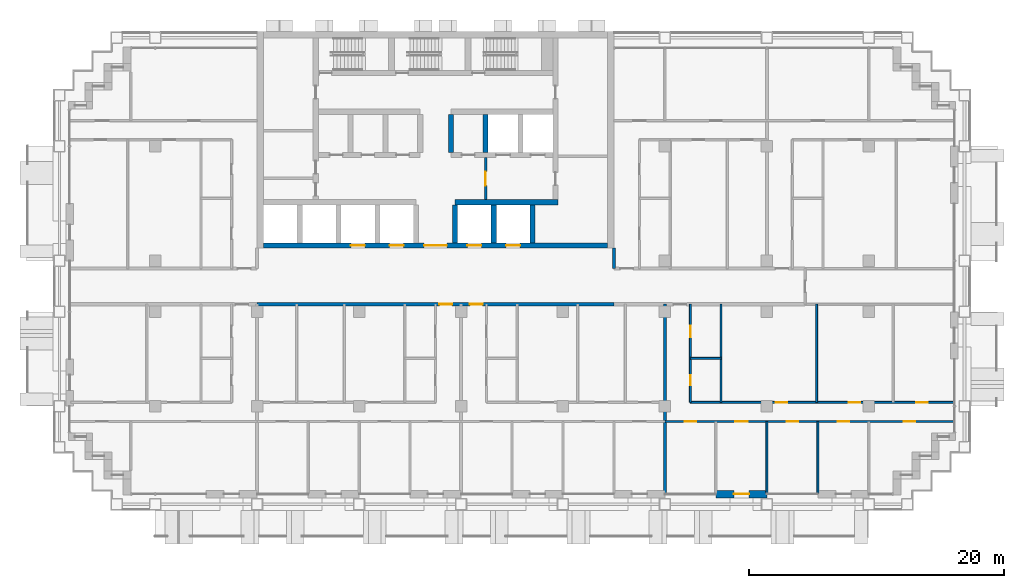
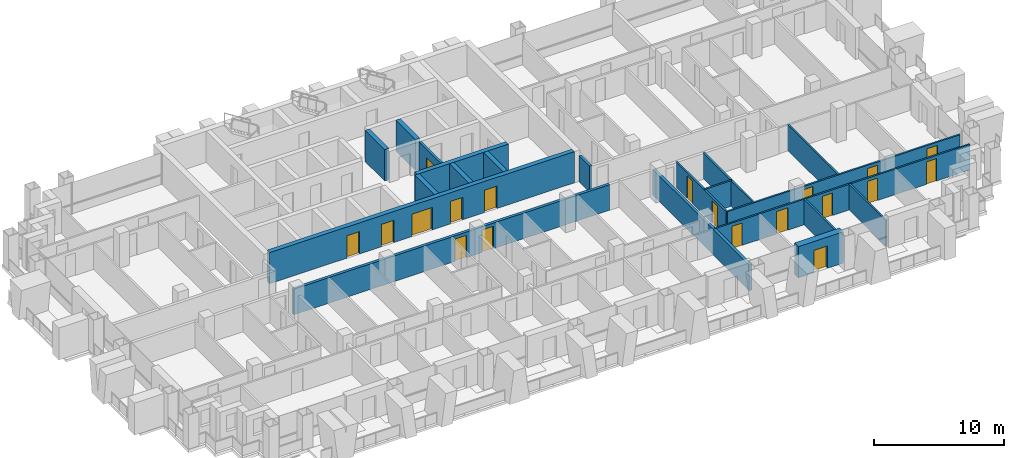
# One storey, part 11 of 18: 20 walls, 19 doors, 19 openings.
"""IFC4 building model written with IfcOpenShell, lengths in metres."""

from ifc_helpers import new_model, si_unit, direction, frame, frame_2d, origin, place, context, subcontext, project, spatial, rectangle, extrude, material, layer, layer_set, type_object, element, fill, save


model = new_model("IFC4")

# Units and contexts
model_context = context("Model", 3, precision=1e-05, world=origin(), true_north=direction((0.0, 1.0)))
body_context = subcontext(model_context, "Body", "Model", "MODEL_VIEW")
ifc_project = project(units=[si_unit("LENGTHUNIT", "METRE"), si_unit("AREAUNIT", "SQUARE_METRE"), si_unit("VOLUMEUNIT", "CUBIC_METRE"), si_unit("PLANEANGLEUNIT", "RADIAN"), si_unit("MASSUNIT", "GRAM", prefix="KILO")], contexts=[model_context])

# Site, building, storey
site_placement = place(None, origin())
site = spatial("IfcSite", under=ifc_project, at=site_placement, CompositionType="ELEMENT")
building_placement = place(site_placement, origin())
building = spatial("IfcBuilding", under=site, at=building_placement, Name="Vidyagriha Tower", CompositionType="ELEMENT")
storey_placement = place(building_placement, frame((0.0, 0.0, 90.300048828125)))
storey = spatial("IfcBuildingStorey", under=building, at=storey_placement, Name="L23", CompositionType="ELEMENT", Elevation=90.300048828125)

# Wall, opening, door
ifc_material_1 = material(Name="Precast concrete C40/50 with brick facing", Category="concrete")
ifc_layer_1 = layer(ifc_material_1, 0.60009765625)
ifc_layer_set_1 = layer_set([ifc_layer_1], Name="Precast concrete C40/50 with brick facing")
wall_type_1 = type_object("IfcWallType", Name="Brick-faced precast wall 600", PredefinedType="STANDARD", material=ifc_layer_set_1)
wall_1_placement = place(storey_placement, frame((22.0, -16.300048828125, 0.0)))
wall_1 = element("IfcWall", 1, at=wall_1_placement, inside=storey, type_object=wall_type_1, Name="Brick door bay wall L23 R23.13", PredefinedType="STANDARD", context=body_context, shape_type="SweptSolid", body=[
    extrude(rectangle(XDim=4.0, YDim=0.60009765625, at=frame_2d((2.0, 0.0))), origin(), (0.0, 0.0, 1.0), 2.919921875),
])
opening_1_placement = place(wall_1_placement, frame((1.39990234375, 0.0, 0.0)))
opening_1 = element("IfcOpeningElement", 2, at=opening_1_placement, cuts=wall_1, Name="Opening D23-82", PredefinedType="OPENING", context=body_context, shape_type="SweptSolid", body=[
    extrude(rectangle(XDim=1.199951171875, YDim=2.10009765625, at=frame_2d((0.60009765625, 1.050048828125))), frame((0.0, 0.31005859375, 0.0), z_axis=(0.0, -1.0, 0.0), x_axis=(1.0, 0.0, 0.0)), (0.0, 0.0, 1.0), 0.6201171875),
])
ifc_material_2 = material(Name="Aluminium framed glazed sliding door", Category="aluminium")
door_type_1 = type_object("IfcDoorType", Name="Balcony sliding door 1200x2100", OperationType="NOTDEFINED", PredefinedType="DOOR", material=ifc_material_2)
door_1_placement = place(opening_1_placement, origin())
door_1 = element("IfcDoor", 3, at=door_1_placement, inside=storey, type_object=door_type_1, Name="Door D23-82", OperationType="SLIDING_TO_LEFT", OverallHeight=2.10009765625, OverallWidth=1.199951171875, PredefinedType="DOOR", context=body_context, shape_type="SweptSolid", body=[
    extrude(rectangle(XDim=1.199951171875, YDim=2.10009765625, at=frame_2d((0.60009765625, 1.050048828125))), frame((0.0, 0.02490234375, 0.0), z_axis=(0.0, -1.0, 0.0), x_axis=(1.0, 0.0, 0.0)), (0.0, 0.0, 1.0), 0.050048828125),
])
fill(opening_1, door_1)

# Wall, openings, doors
ifc_material_3 = material(Name="Concrete C60/75", Category="concrete")
ifc_layer_2 = layer(ifc_material_3, 0.39990234375)
ifc_layer_set_2 = layer_set([ifc_layer_2], Name="Concrete C60/75")
wall_type_2 = type_object("IfcWallType", Name="Core shear wall 400 mm", PredefinedType="SHEAR", material=ifc_layer_set_2)
wall_2_placement = place(storey_placement, frame((-13.5, 3.199951171875, 0.0)))
wall_2 = element("IfcWall", 4, at=wall_2_placement, inside=storey, type_object=wall_type_2, Name="Core front wall", PredefinedType="SHEAR", context=body_context, shape_type="SweptSolid", body=[
    extrude(rectangle(XDim=27.0, YDim=0.39990234375, at=frame_2d((13.5, 0.0))), origin(), (0.0, 0.0, 1.0), 2.919921875),
])
opening_2_placement = place(wall_2_placement, frame((6.861083984375, 0.0, 0.0)))
opening_2 = element("IfcOpeningElement", 5, at=opening_2_placement, cuts=wall_2, Name="Opening LD23-01", PredefinedType="OPENING", context=body_context, shape_type="SweptSolid", body=[
    extrude(rectangle(XDim=1.10009765625, YDim=2.10009765625, at=frame_2d((0.550048828125, 1.050048828125))), frame((0.0, 0.2099609375, 0.0), z_axis=(0.0, -1.0, 0.0), x_axis=(1.0, 0.0, 0.0)), (0.0, 0.0, 1.0), 0.419921875),
])
opening_3_placement = place(wall_2_placement, frame((9.905517578125, 0.0, 0.0)))
opening_3 = element("IfcOpeningElement", 6, at=opening_3_placement, cuts=wall_2, Name="Opening LD23-02", PredefinedType="OPENING", context=body_context, shape_type="SweptSolid", body=[
    extrude(rectangle(XDim=1.10009765625, YDim=2.10009765625, at=frame_2d((0.550048828125, 1.050048828125))), frame((0.0, 0.2099609375, 0.0), z_axis=(0.0, -1.0, 0.0), x_axis=(1.0, 0.0, 0.0)), (0.0, 0.0, 1.0), 0.419921875),
])
opening_4_placement = place(wall_2_placement, frame((15.994384765625, 0.0, 0.0)))
opening_4 = element("IfcOpeningElement", 7, at=opening_4_placement, cuts=wall_2, Name="Opening LD23-03", PredefinedType="OPENING", context=body_context, shape_type="SweptSolid", body=[
    extrude(rectangle(XDim=1.10009765625, YDim=2.10009765625, at=frame_2d((0.550048828125, 1.050048828125))), frame((0.0, 0.2099609375, 0.0), z_axis=(0.0, -1.0, 0.0), x_axis=(1.0, 0.0, 0.0)), (0.0, 0.0, 1.0), 0.419921875),
])
opening_5_placement = place(wall_2_placement, frame((19.038818359375, 0.0, 0.0)))
opening_5 = element("IfcOpeningElement", 8, at=opening_5_placement, cuts=wall_2, Name="Opening LD23-04", PredefinedType="OPENING", context=body_context, shape_type="SweptSolid", body=[
    extrude(rectangle(XDim=1.10009765625, YDim=2.10009765625, at=frame_2d((0.550048828125, 1.050048828125))), frame((0.0, 0.2099609375, 0.0), z_axis=(0.0, -1.0, 0.0), x_axis=(1.0, 0.0, 0.0)), (0.0, 0.0, 1.0), 0.419921875),
])
opening_6_placement = place(wall_2_placement, frame((12.60009765625, 0.0, 0.0)))
opening_6 = element("IfcOpeningElement", 9, at=opening_6_placement, cuts=wall_2, Name="Opening D23-01", PredefinedType="OPENING", context=body_context, shape_type="SweptSolid", body=[
    extrude(rectangle(XDim=1.800048828125, YDim=2.10009765625, at=frame_2d((0.89990234375, 1.050048828125))), frame((0.0, 0.2099609375, 0.0), z_axis=(0.0, -1.0, 0.0), x_axis=(1.0, 0.0, 0.0)), (0.0, 0.0, 1.0), 0.419921875),
])
ifc_material_4 = material(Name="Hollow metal door leaf")
door_type_2 = type_object("IfcDoorType", Name="Core lobby double door 1800 x 2100 mm EI 60", OperationType="NOTDEFINED", PredefinedType="DOOR", material=ifc_material_4)
door_2_placement = place(opening_6_placement, frame((1.800048828125, 0.0, 0.0), z_axis=(0.0, 0.0, 1.0), x_axis=(-1.0, 0.0, 0.0)))
door_2 = element("IfcDoor", 10, at=door_2_placement, inside=storey, type_object=door_type_2, Name="Core entrance door L23", OperationType="DOUBLE_DOOR_SINGLE_SWING", OverallHeight=2.10009765625, OverallWidth=1.800048828125, PredefinedType="DOOR", context=body_context, shape_type="SweptSolid", body=[
    extrude(rectangle(XDim=1.800048828125, YDim=2.10009765625, at=frame_2d((0.89990234375, 1.050048828125))), frame((0.0, 0.02490234375, 0.0), z_axis=(0.0, -1.0, 0.0), x_axis=(1.0, 0.0, 0.0)), (0.0, 0.0, 1.0), 0.050048828125),
])
fill(opening_6, door_2)
ifc_material_5 = material(Name="Stainless steel sliding door panel", Category="steel")
door_type_3 = type_object("IfcDoorType", Name="Lift landing door 1100 x 2100 mm EI 90", OperationType="NOTDEFINED", PredefinedType="DOOR", material=ifc_material_5)
door_3_placement = place(opening_2_placement, origin())
door_3 = element("IfcDoor", 11, at=door_3_placement, inside=storey, type_object=door_type_3, Name="Landing door LR1 L23", OperationType="SLIDING_TO_LEFT", OverallHeight=2.10009765625, OverallWidth=1.10009765625, PredefinedType="DOOR", context=body_context, shape_type="SweptSolid", body=[
    extrude(rectangle(XDim=1.10009765625, YDim=2.10009765625, at=frame_2d((0.550048828125, 1.050048828125))), frame((0.0, 0.02490234375, 0.0), z_axis=(0.0, -1.0, 0.0), x_axis=(1.0, 0.0, 0.0)), (0.0, 0.0, 1.0), 0.050048828125),
])
fill(opening_2, door_3)
door_4_placement = place(opening_3_placement, origin())
door_4 = element("IfcDoor", 12, at=door_4_placement, inside=storey, type_object=door_type_3, Name="Landing door LR2 L23", OperationType="SLIDING_TO_LEFT", OverallHeight=2.10009765625, OverallWidth=1.10009765625, PredefinedType="DOOR", context=body_context, shape_type="SweptSolid", body=[
    extrude(rectangle(XDim=1.10009765625, YDim=2.10009765625, at=frame_2d((0.550048828125, 1.050048828125))), frame((0.0, 0.02490234375, 0.0), z_axis=(0.0, -1.0, 0.0), x_axis=(1.0, 0.0, 0.0)), (0.0, 0.0, 1.0), 0.050048828125),
])
fill(opening_3, door_4)
door_5_placement = place(opening_4_placement, origin())
door_5 = element("IfcDoor", 13, at=door_5_placement, inside=storey, type_object=door_type_3, Name="Landing door LR3 L23", OperationType="SLIDING_TO_LEFT", OverallHeight=2.10009765625, OverallWidth=1.10009765625, PredefinedType="DOOR", context=body_context, shape_type="SweptSolid", body=[
    extrude(rectangle(XDim=1.10009765625, YDim=2.10009765625, at=frame_2d((0.550048828125, 1.050048828125))), frame((0.0, 0.02490234375, 0.0), z_axis=(0.0, -1.0, 0.0), x_axis=(1.0, 0.0, 0.0)), (0.0, 0.0, 1.0), 0.050048828125),
])
fill(opening_4, door_5)
door_6_placement = place(opening_5_placement, origin())
door_6 = element("IfcDoor", 14, at=door_6_placement, inside=storey, type_object=door_type_3, Name="Landing door LR4 L23", OperationType="SLIDING_TO_LEFT", OverallHeight=2.10009765625, OverallWidth=1.10009765625, PredefinedType="DOOR", context=body_context, shape_type="SweptSolid", body=[
    extrude(rectangle(XDim=1.10009765625, YDim=2.10009765625, at=frame_2d((0.550048828125, 1.050048828125))), frame((0.0, 0.02490234375, 0.0), z_axis=(0.0, -1.0, 0.0), x_axis=(1.0, 0.0, 0.0)), (0.0, 0.0, 1.0), 0.050048828125),
])
fill(opening_5, door_6)

# Walls
wall_3_placement = place(storey_placement, frame((1.522216796875, 6.60009765625, 0.0)))
element("IfcWall", 15, at=wall_3_placement, inside=storey, type_object=wall_type_2, Name="Core lobby south wall east", PredefinedType="SHEAR", context=body_context, shape_type="SweptSolid", body=[
    extrude(rectangle(XDim=8.077880859375, YDim=0.39990234375, at=frame_2d((4.0390625, 0.0))), origin(), (0.0, 0.0, 1.0), 2.919921875),
])
for number, where, z_axis, x_axis, name in (
    (16, (1.522216796875, 3.39990234375, 0.0), (0.0, 0.0, 1.0), (0.0, 1.0, 0.0), "Core bay wall S5"),
    (17, (4.566650390625, 3.39990234375, 0.0), (0.0, 0.0, 1.0), (0.0, 1.0, 0.0), "Core bay wall S6"),
    (18, (7.611083984375, 3.39990234375, 0.0), (0.0, 0.0, 1.0), (0.0, 1.0, 0.0), "Core bay wall S7"),
    (19, (1.199951171875, 10.5, 0.0), (0.0, 0.0, 1.0), (0.0, 1.0, 0.0), "Core bay wall N4"),
    (20, (3.933349609375, 10.5, 0.0), (0.0, 0.0, 1.0), (0.0, 1.0, 0.0), "Core bay wall N5"),
):
    element("IfcWall", number, at=place(storey_placement, frame(where, z_axis=z_axis, x_axis=x_axis)), inside=storey, type_object=wall_type_2, Name=name, PredefinedType="SHEAR", context=body_context, shape_type="SweptSolid", body=[
        extrude(rectangle(XDim=3.0, YDim=0.39990234375, at=frame_2d((1.5, 0.0))), origin(), (0.0, 0.0, 1.0), 2.919921875),
    ])

# Wall, openings, doors
ifc_material_6 = material(Name="Fired clay brick masonry", Category="masonry")
ifc_layer_3 = layer(ifc_material_6, 0.25)
ifc_layer_set_3 = layer_set([ifc_layer_3], Name="Fired clay brick masonry")
wall_type_3 = type_object("IfcWallType", Name="Fired clay brick corridor wall 250", PredefinedType="PARTITIONING", material=ifc_layer_set_3)
wall_4_placement = place(storey_placement, frame((14.0, -1.39990234375, 0.0), z_axis=(0.0, 0.0, 1.0), x_axis=(-1.0, 0.0, 0.0)))
wall_4 = element("IfcWall", 21, at=wall_4_placement, inside=storey, type_object=wall_type_3, Name="Wall all-L23-w131", PredefinedType="PARTITIONING", context=body_context, shape_type="SweptSolid", body=[
    extrude(rectangle(XDim=28.0, YDim=0.25, at=frame_2d((14.0, 0.0))), origin(), (0.0, 0.0, 1.0), 2.39990234375),
])
opening_7_placement = place(wall_4_placement, frame((12.68896484375, 0.0, 0.0)))
opening_7 = element("IfcOpeningElement", 22, at=opening_7_placement, cuts=wall_4, Name="Opening D23-31", PredefinedType="OPENING", context=body_context, shape_type="SweptSolid", body=[
    extrude(rectangle(XDim=1.0, YDim=2.10009765625, at=frame_2d((0.5, 1.050048828125))), frame((0.0, 0.135009765625, 0.0), z_axis=(0.0, -1.0, 0.0), x_axis=(1.0, 0.0, 0.0)), (0.0, 0.0, 1.0), 0.27001953125),
])
opening_8_placement = place(wall_4_placement, frame((10.31103515625, 0.0, 0.0)))
opening_8 = element("IfcOpeningElement", 23, at=opening_8_placement, cuts=wall_4, Name="Opening D23-41", PredefinedType="OPENING", context=body_context, shape_type="SweptSolid", body=[
    extrude(rectangle(XDim=1.0, YDim=2.10009765625, at=frame_2d((0.5, 1.050048828125))), frame((0.0, 0.135009765625, 0.0), z_axis=(0.0, -1.0, 0.0), x_axis=(1.0, 0.0, 0.0)), (0.0, 0.0, 1.0), 0.27001953125),
])
ifc_material_7 = material(Name="Fire-rated timber door leaf EI 60", Category="wood")
door_type_4 = type_object("IfcDoorType", Name="Flat entrance fire door 1000x2100", OperationType="NOTDEFINED", PredefinedType="DOOR", material=ifc_material_7)
door_7_placement = place(opening_7_placement, origin())
door_7 = element("IfcDoor", 24, at=door_7_placement, inside=storey, type_object=door_type_4, Name="Door D23-31", OperationType="SINGLE_SWING_LEFT", OverallHeight=2.10009765625, OverallWidth=1.0, PredefinedType="DOOR", context=body_context, shape_type="SweptSolid", body=[
    extrude(rectangle(XDim=1.0, YDim=2.10009765625, at=frame_2d((0.5, 1.050048828125))), frame((0.0, 0.02490234375, 0.0), z_axis=(0.0, -1.0, 0.0), x_axis=(1.0, 0.0, 0.0)), (0.0, 0.0, 1.0), 0.050048828125),
])
fill(opening_7, door_7)
door_8_placement = place(opening_8_placement, origin())
door_8 = element("IfcDoor", 25, at=door_8_placement, inside=storey, type_object=door_type_4, Name="Door D23-41", OperationType="SINGLE_SWING_RIGHT", OverallHeight=2.10009765625, OverallWidth=1.0, PredefinedType="DOOR", context=body_context, shape_type="SweptSolid", body=[
    extrude(rectangle(XDim=1.0, YDim=2.10009765625, at=frame_2d((0.5, 1.050048828125))), frame((0.0, 0.02490234375, 0.0), z_axis=(0.0, -1.0, 0.0), x_axis=(1.0, 0.0, 0.0)), (0.0, 0.0, 1.0), 0.050048828125),
])
fill(opening_8, door_8)

# Walls
wall_5_placement = place(storey_placement, frame((14.0, 1.39990234375, 0.0), z_axis=(0.0, 0.0, 1.0), x_axis=(0.0, 1.0, 0.0)))
element("IfcWall", 26, at=wall_5_placement, inside=storey, type_object=wall_type_3, Name="Wall all-L23-w133", PredefinedType="PARTITIONING", context=body_context, shape_type="SweptSolid", body=[
    extrude(rectangle(XDim=1.60009765625, YDim=0.25, at=frame_2d((0.800048828125, 0.0))), origin(), (0.0, 0.0, 1.0), 2.39990234375),
])
ifc_material_8 = material(Name="Fired clay brick masonry", Category="masonry")
ifc_layer_4 = layer(ifc_material_8, 0.25)
ifc_layer_set_4 = layer_set([ifc_layer_4], Name="Fired clay brick masonry")
wall_type_4 = type_object("IfcWallType", Name="Fired clay brick demising wall 250", PredefinedType="PARTITIONING", material=ifc_layer_set_4)
wall_6_placement = place(storey_placement, frame((18.0, -1.39990234375, 0.0), z_axis=(0.0, 0.0, 1.0), x_axis=(0.0, -1.0, 0.0)))
element("IfcWall", 27, at=wall_6_placement, inside=storey, type_object=wall_type_4, Name="Wall all-L23-w079", PredefinedType="PARTITIONING", context=body_context, shape_type="SweptSolid", body=[
    extrude(rectangle(XDim=14.81005859375, YDim=0.25, at=frame_2d((7.405029296875, 0.0))), origin(), (0.0, 0.0, 1.0), 2.39990234375),
])
ifc_material_9 = material(Name="Gypsum board partition")
ifc_layer_5 = layer(ifc_material_9, 0.14990234375)
ifc_layer_set_5 = layer_set([ifc_layer_5], Name="Gypsum board partition")
wall_type_5 = type_object("IfcWallType", Name="Gypsum board partition 150", PredefinedType="PARTITIONING", material=ifc_layer_set_5)
wall_7_placement = place(storey_placement, frame((22.39990234375, -5.64990234375, 0.0), z_axis=(0.0, 0.0, 1.0), x_axis=(-1.0, 0.0, 0.0)))
element("IfcWall", 28, at=wall_7_placement, inside=storey, type_object=wall_type_5, Name="Wall all-L23-w060", PredefinedType="PARTITIONING", context=body_context, shape_type="SweptSolid", body=[
    extrude(rectangle(XDim=2.39990234375, YDim=0.14990234375, at=frame_2d((1.199951171875, 0.0))), origin(), (0.0, 0.0, 1.0), 2.39990234375),
])
for number, where, z_axis, x_axis, name in (
    (29, (22.39990234375, -1.39990234375, 0.0), (0.0, 0.0, 1.0), (0.0, -1.0, 0.0), "Wall all-L23-w061"),
    (30, (29.89990234375, -1.39990234375, 0.0), (0.0, 0.0, 1.0), (0.0, -1.0, 0.0), "Wall all-L23-w062"),
):
    element("IfcWall", number, at=place(storey_placement, frame(where, z_axis=z_axis, x_axis=x_axis)), inside=storey, type_object=wall_type_5, Name=name, PredefinedType="PARTITIONING", context=body_context, shape_type="SweptSolid", body=[
        extrude(rectangle(XDim=7.7001953125, YDim=0.14990234375, at=frame_2d((3.85009765625, 0.0))), origin(), (0.0, 0.0, 1.0), 2.39990234375),
    ])

# Wall, openings, doors
wall_8_placement = place(storey_placement, frame((20.0, -9.10009765625, 0.0)))
wall_8 = element("IfcWall", 31, at=wall_8_placement, inside=storey, type_object=wall_type_5, Name="Wall all-L23-w064", PredefinedType="PARTITIONING", context=body_context, shape_type="SweptSolid", body=[
    extrude(rectangle(XDim=20.6201171875, YDim=0.14990234375, at=frame_2d((10.31005859375, 0.0))), origin(), (0.0, 0.0, 1.0), 2.39990234375),
])
opening_9_placement = place(wall_8_placement, frame((6.68896484375, 0.0, 0.0)))
opening_9 = element("IfcOpeningElement", 32, at=opening_9_placement, cuts=wall_8, Name="Opening D23-44", PredefinedType="OPENING", context=body_context, shape_type="SweptSolid", body=[
    extrude(rectangle(XDim=0.89990234375, YDim=2.10009765625, at=frame_2d((0.449951171875, 1.050048828125))), frame((0.0, 0.0849609375, 0.0), z_axis=(0.0, -1.0, 0.0), x_axis=(1.0, 0.0, 0.0)), (0.0, 0.0, 1.0), 0.169921875),
])
opening_10_placement = place(wall_8_placement, frame((12.410888671875, 0.0, 0.0)))
opening_10 = element("IfcOpeningElement", 33, at=opening_10_placement, cuts=wall_8, Name="Opening D23-45", PredefinedType="OPENING", context=body_context, shape_type="SweptSolid", body=[
    extrude(rectangle(XDim=0.89990234375, YDim=2.10009765625, at=frame_2d((0.449951171875, 1.050048828125))), frame((0.0, 0.0849609375, 0.0), z_axis=(0.0, -1.0, 0.0), x_axis=(1.0, 0.0, 0.0)), (0.0, 0.0, 1.0), 0.169921875),
])
opening_11_placement = place(wall_8_placement, frame((17.699951171875, 0.0, 0.0)))
opening_11 = element("IfcOpeningElement", 34, at=opening_11_placement, cuts=wall_8, Name="Opening D23-46", PredefinedType="OPENING", context=body_context, shape_type="SweptSolid", body=[
    extrude(rectangle(XDim=0.89990234375, YDim=2.10009765625, at=frame_2d((0.449951171875, 1.050048828125))), frame((0.0, 0.0849609375, 0.0), z_axis=(0.0, -1.0, 0.0), x_axis=(1.0, 0.0, 0.0)), (0.0, 0.0, 1.0), 0.169921875),
])
ifc_material_10 = material(Name="Timber door leaf", Category="wood")
door_type_5 = type_object("IfcDoorType", Name="Room door 900x2100", OperationType="NOTDEFINED", PredefinedType="DOOR", material=ifc_material_10)
door_9_placement = place(opening_9_placement, origin())
door_9 = element("IfcDoor", 35, at=door_9_placement, inside=storey, type_object=door_type_5, Name="Door D23-44", OperationType="SINGLE_SWING_RIGHT", OverallHeight=2.10009765625, OverallWidth=0.89990234375, PredefinedType="DOOR", context=body_context, shape_type="SweptSolid", body=[
    extrude(rectangle(XDim=0.89990234375, YDim=2.10009765625, at=frame_2d((0.449951171875, 1.050048828125))), frame((0.0, 0.02490234375, 0.0), z_axis=(0.0, -1.0, 0.0), x_axis=(1.0, 0.0, 0.0)), (0.0, 0.0, 1.0), 0.050048828125),
])
fill(opening_9, door_9)
door_10_placement = place(opening_10_placement, origin())
door_10 = element("IfcDoor", 36, at=door_10_placement, inside=storey, type_object=door_type_5, Name="Door D23-45", OperationType="SINGLE_SWING_LEFT", OverallHeight=2.10009765625, OverallWidth=0.89990234375, PredefinedType="DOOR", context=body_context, shape_type="SweptSolid", body=[
    extrude(rectangle(XDim=0.89990234375, YDim=2.10009765625, at=frame_2d((0.449951171875, 1.050048828125))), frame((0.0, 0.02490234375, 0.0), z_axis=(0.0, -1.0, 0.0), x_axis=(1.0, 0.0, 0.0)), (0.0, 0.0, 1.0), 0.050048828125),
])
fill(opening_10, door_10)
door_11_placement = place(opening_11_placement, origin())
door_11 = element("IfcDoor", 37, at=door_11_placement, inside=storey, type_object=door_type_5, Name="Door D23-46", OperationType="SINGLE_SWING_RIGHT", OverallHeight=2.10009765625, OverallWidth=0.89990234375, PredefinedType="DOOR", context=body_context, shape_type="SweptSolid", body=[
    extrude(rectangle(XDim=0.89990234375, YDim=2.10009765625, at=frame_2d((0.449951171875, 1.050048828125))), frame((0.0, 0.02490234375, 0.0), z_axis=(0.0, -1.0, 0.0), x_axis=(1.0, 0.0, 0.0)), (0.0, 0.0, 1.0), 0.050048828125),
])
fill(opening_11, door_11)

wall_9_placement = place(storey_placement, frame((40.6201171875, -10.60009765625, 0.0), z_axis=(0.0, 0.0, 1.0), x_axis=(-1.0, 0.0, 0.0)))
wall_9 = element("IfcWall", 38, at=wall_9_placement, inside=storey, type_object=wall_type_5, Name="Wall all-L23-w068", PredefinedType="PARTITIONING", context=body_context, shape_type="SweptSolid", body=[
    extrude(rectangle(XDim=22.6201171875, YDim=0.14990234375, at=frame_2d((11.31005859375, 0.0))), origin(), (0.0, 0.0, 1.0), 2.39990234375),
])
opening_12_placement = place(wall_9_placement, frame((20.169921875, 0.0, 0.0)))
opening_12 = element("IfcOpeningElement", 39, at=opening_12_placement, cuts=wall_9, Name="Opening D23-47", PredefinedType="OPENING", context=body_context, shape_type="SweptSolid", body=[
    extrude(rectangle(XDim=0.89990234375, YDim=2.10009765625, at=frame_2d((0.449951171875, 1.050048828125))), frame((0.0, 0.0849609375, 0.0), z_axis=(0.0, -1.0, 0.0), x_axis=(1.0, 0.0, 0.0)), (0.0, 0.0, 1.0), 0.169921875),
])
opening_13_placement = place(wall_9_placement, frame((16.1201171875, 0.0, 0.0)))
opening_13 = element("IfcOpeningElement", 40, at=opening_13_placement, cuts=wall_9, Name="Opening D23-48", PredefinedType="OPENING", context=body_context, shape_type="SweptSolid", body=[
    extrude(rectangle(XDim=1.0, YDim=2.10009765625, at=frame_2d((0.5, 1.050048828125))), frame((0.0, 0.0849609375, 0.0), z_axis=(0.0, -1.0, 0.0), x_axis=(1.0, 0.0, 0.0)), (0.0, 0.0, 1.0), 0.169921875),
])
opening_14_placement = place(wall_9_placement, frame((12.169921875, 0.0, 0.0)))
opening_14 = element("IfcOpeningElement", 41, at=opening_14_placement, cuts=wall_9, Name="Opening D23-49", PredefinedType="OPENING", context=body_context, shape_type="SweptSolid", body=[
    extrude(rectangle(XDim=0.89990234375, YDim=2.10009765625, at=frame_2d((0.449951171875, 1.050048828125))), frame((0.0, 0.0849609375, 0.0), z_axis=(0.0, -1.0, 0.0), x_axis=(1.0, 0.0, 0.0)), (0.0, 0.0, 1.0), 0.169921875),
])
opening_15_placement = place(wall_9_placement, frame((8.169921875, 0.0, 0.0)))
opening_15 = element("IfcOpeningElement", 42, at=opening_15_placement, cuts=wall_9, Name="Opening D23-50", PredefinedType="OPENING", context=body_context, shape_type="SweptSolid", body=[
    extrude(rectangle(XDim=0.89990234375, YDim=2.10009765625, at=frame_2d((0.449951171875, 1.050048828125))), frame((0.0, 0.0849609375, 0.0), z_axis=(0.0, -1.0, 0.0), x_axis=(1.0, 0.0, 0.0)), (0.0, 0.0, 1.0), 0.169921875),
])
opening_16_placement = place(wall_9_placement, frame((2.969970703125, 0.0, 0.0)))
opening_16 = element("IfcOpeningElement", 43, at=opening_16_placement, cuts=wall_9, Name="Opening D23-51", PredefinedType="OPENING", context=body_context, shape_type="SweptSolid", body=[
    extrude(rectangle(XDim=0.89990234375, YDim=2.10009765625, at=frame_2d((0.449951171875, 1.050048828125))), frame((0.0, 0.0849609375, 0.0), z_axis=(0.0, -1.0, 0.0), x_axis=(1.0, 0.0, 0.0)), (0.0, 0.0, 1.0), 0.169921875),
])
ifc_material_11 = material(Name="Timber door leaf", Category="wood")
door_type_6 = type_object("IfcDoorType", Name="Room door 1000x2100", OperationType="NOTDEFINED", PredefinedType="DOOR", material=ifc_material_11)
door_12_placement = place(opening_13_placement, origin())
door_12 = element("IfcDoor", 44, at=door_12_placement, inside=storey, type_object=door_type_6, Name="Door D23-48", OperationType="SINGLE_SWING_RIGHT", OverallHeight=2.10009765625, OverallWidth=1.0, PredefinedType="DOOR", context=body_context, shape_type="SweptSolid", body=[
    extrude(rectangle(XDim=1.0, YDim=2.10009765625, at=frame_2d((0.5, 1.050048828125))), frame((0.0, 0.02490234375, 0.0), z_axis=(0.0, -1.0, 0.0), x_axis=(1.0, 0.0, 0.0)), (0.0, 0.0, 1.0), 0.050048828125),
])
fill(opening_13, door_12)
door_13_placement = place(opening_12_placement, origin())
door_13 = element("IfcDoor", 45, at=door_13_placement, inside=storey, type_object=door_type_5, Name="Door D23-47", OperationType="SINGLE_SWING_RIGHT", OverallHeight=2.10009765625, OverallWidth=0.89990234375, PredefinedType="DOOR", context=body_context, shape_type="SweptSolid", body=[
    extrude(rectangle(XDim=0.89990234375, YDim=2.10009765625, at=frame_2d((0.449951171875, 1.050048828125))), frame((0.0, 0.02490234375, 0.0), z_axis=(0.0, -1.0, 0.0), x_axis=(1.0, 0.0, 0.0)), (0.0, 0.0, 1.0), 0.050048828125),
])
fill(opening_12, door_13)
door_14_placement = place(opening_14_placement, origin())
door_14 = element("IfcDoor", 46, at=door_14_placement, inside=storey, type_object=door_type_5, Name="Door D23-49", OperationType="SINGLE_SWING_RIGHT", OverallHeight=2.10009765625, OverallWidth=0.89990234375, PredefinedType="DOOR", context=body_context, shape_type="SweptSolid", body=[
    extrude(rectangle(XDim=0.89990234375, YDim=2.10009765625, at=frame_2d((0.449951171875, 1.050048828125))), frame((0.0, 0.02490234375, 0.0), z_axis=(0.0, -1.0, 0.0), x_axis=(1.0, 0.0, 0.0)), (0.0, 0.0, 1.0), 0.050048828125),
])
fill(opening_14, door_14)
door_15_placement = place(opening_15_placement, origin())
door_15 = element("IfcDoor", 47, at=door_15_placement, inside=storey, type_object=door_type_5, Name="Door D23-50", OperationType="SINGLE_SWING_RIGHT", OverallHeight=2.10009765625, OverallWidth=0.89990234375, PredefinedType="DOOR", context=body_context, shape_type="SweptSolid", body=[
    extrude(rectangle(XDim=0.89990234375, YDim=2.10009765625, at=frame_2d((0.449951171875, 1.050048828125))), frame((0.0, 0.02490234375, 0.0), z_axis=(0.0, -1.0, 0.0), x_axis=(1.0, 0.0, 0.0)), (0.0, 0.0, 1.0), 0.050048828125),
])
fill(opening_15, door_15)
door_16_placement = place(opening_16_placement, origin())
door_16 = element("IfcDoor", 48, at=door_16_placement, inside=storey, type_object=door_type_5, Name="Door D23-51", OperationType="SINGLE_SWING_LEFT", OverallHeight=2.10009765625, OverallWidth=0.89990234375, PredefinedType="DOOR", context=body_context, shape_type="SweptSolid", body=[
    extrude(rectangle(XDim=0.89990234375, YDim=2.10009765625, at=frame_2d((0.449951171875, 1.050048828125))), frame((0.0, 0.02490234375, 0.0), z_axis=(0.0, -1.0, 0.0), x_axis=(1.0, 0.0, 0.0)), (0.0, 0.0, 1.0), 0.050048828125),
])
fill(opening_16, door_16)

# Walls
wall_10_placement = place(storey_placement, frame((26.0, -10.60009765625, 0.0), z_axis=(0.0, 0.0, 1.0), x_axis=(0.0, -1.0, 0.0)))
element("IfcWall", 49, at=wall_10_placement, inside=storey, type_object=wall_type_5, Name="Wall all-L23-w075", PredefinedType="PARTITIONING", context=body_context, shape_type="SweptSolid", body=[
    extrude(rectangle(XDim=5.60986328125, YDim=0.14990234375, at=frame_2d((2.804931640625, 0.0))), origin(), (0.0, 0.0, 1.0), 2.39990234375),
])
wall_11_placement = place(storey_placement, frame((30.0, -10.60009765625, 0.0), z_axis=(0.0, 0.0, 1.0), x_axis=(0.0, -1.0, 0.0)))
element("IfcWall", 50, at=wall_11_placement, inside=storey, type_object=wall_type_5, Name="Wall all-L23-w076", PredefinedType="PARTITIONING", context=body_context, shape_type="SweptSolid", body=[
    extrude(rectangle(XDim=5.620849609375, YDim=0.14990234375, at=frame_2d((2.810546875, 0.0))), origin(), (0.0, 0.0, 1.0), 2.39990234375),
])

# Wall, openings, doors
ifc_material_12 = material(Name="Moisture resistant gypsum board partition")
ifc_layer_6 = layer(ifc_material_12, 0.14990234375)
ifc_layer_set_6 = layer_set([ifc_layer_6], Name="Moisture resistant gypsum board partition")
wall_type_6 = type_object("IfcWallType", Name="Gypsum board wet-area partition 150", PredefinedType="PARTITIONING", material=ifc_layer_set_6)
wall_12_placement = place(storey_placement, frame((20.0, -1.39990234375, 0.0), z_axis=(0.0, 0.0, 1.0), x_axis=(0.0, -1.0, 0.0)))
wall_12 = element("IfcWall", 51, at=wall_12_placement, inside=storey, type_object=wall_type_6, Name="Wall all-L23-w057", PredefinedType="PARTITIONING", context=body_context, shape_type="SweptSolid", body=[
    extrude(rectangle(XDim=7.7001953125, YDim=0.14990234375, at=frame_2d((3.85009765625, 0.0))), origin(), (0.0, 0.0, 1.0), 2.39990234375),
])
opening_17_placement = place(wall_12_placement, frame((1.675048828125, 0.0, 0.0)))
opening_17 = element("IfcOpeningElement", 52, at=opening_17_placement, cuts=wall_12, Name="Opening D23-42", PredefinedType="OPENING", context=body_context, shape_type="SweptSolid", body=[
    extrude(rectangle(XDim=0.89990234375, YDim=2.10009765625, at=frame_2d((0.449951171875, 1.050048828125))), frame((0.0, 0.0849609375, 0.0), z_axis=(0.0, -1.0, 0.0), x_axis=(1.0, 0.0, 0.0)), (0.0, 0.0, 1.0), 0.169921875),
])
opening_18_placement = place(wall_12_placement, frame((5.574951171875, 0.0, 0.0)))
opening_18 = element("IfcOpeningElement", 53, at=opening_18_placement, cuts=wall_12, Name="Opening D23-43", PredefinedType="OPENING", context=body_context, shape_type="SweptSolid", body=[
    extrude(rectangle(XDim=0.800048828125, YDim=2.10009765625, at=frame_2d((0.39990234375, 1.050048828125))), frame((0.0, 0.0849609375, 0.0), z_axis=(0.0, -1.0, 0.0), x_axis=(1.0, 0.0, 0.0)), (0.0, 0.0, 1.0), 0.169921875),
])
ifc_material_13 = material(Name="Timber door leaf", Category="wood")
door_type_7 = type_object("IfcDoorType", Name="Bathroom door 800x2100", OperationType="NOTDEFINED", PredefinedType="DOOR", material=ifc_material_13)
door_17_placement = place(opening_18_placement, origin())
door_17 = element("IfcDoor", 54, at=door_17_placement, inside=storey, type_object=door_type_7, Name="Door D23-43", OperationType="SINGLE_SWING_RIGHT", OverallHeight=2.10009765625, OverallWidth=0.800048828125, PredefinedType="DOOR", context=body_context, shape_type="SweptSolid", body=[
    extrude(rectangle(XDim=0.800048828125, YDim=2.10009765625, at=frame_2d((0.39990234375, 1.050048828125))), frame((0.0, 0.02490234375, 0.0), z_axis=(0.0, -1.0, 0.0), x_axis=(1.0, 0.0, 0.0)), (0.0, 0.0, 1.0), 0.050048828125),
])
fill(opening_18, door_17)
ifc_material_14 = material(Name="Timber door leaf", Category="wood")
door_type_8 = type_object("IfcDoorType", Name="Kitchen door 900x2100", OperationType="NOTDEFINED", PredefinedType="DOOR", material=ifc_material_14)
door_18_placement = place(opening_17_placement, origin())
door_18 = element("IfcDoor", 55, at=door_18_placement, inside=storey, type_object=door_type_8, Name="Door D23-42", OperationType="SINGLE_SWING_LEFT", OverallHeight=2.10009765625, OverallWidth=0.89990234375, PredefinedType="DOOR", context=body_context, shape_type="SweptSolid", body=[
    extrude(rectangle(XDim=0.89990234375, YDim=2.10009765625, at=frame_2d((0.449951171875, 1.050048828125))), frame((0.0, 0.02490234375, 0.0), z_axis=(0.0, -1.0, 0.0), x_axis=(1.0, 0.0, 0.0)), (0.0, 0.0, 1.0), 0.050048828125),
])
fill(opening_17, door_18)

# Wall, opening, door
ifc_material_15 = material(Name="Blockwork 15 MPa", Category="masonry")
ifc_layer_7 = layer(ifc_material_15, 0.199951171875)
ifc_layer_set_7 = layer_set([ifc_layer_7], Name="Blockwork 15 MPa")
wall_type_7 = type_object("IfcWallType", Name="Service room partition 200 mm", PredefinedType="PARTITIONING", material=ifc_layer_set_7)
wall_13_placement = place(storey_placement, frame((3.933349609375, 6.800048828125, 0.0), z_axis=(0.0, 0.0, 1.0), x_axis=(0.0, 1.0, 0.0)))
wall_13 = element("IfcWall", 56, at=wall_13_placement, inside=storey, type_object=wall_type_7, Name="Fire-fighting lobby west wall", PredefinedType="PARTITIONING", context=body_context, shape_type="SweptSolid", body=[
    extrude(rectangle(XDim=3.300048828125, YDim=0.199951171875, at=frame_2d((1.64990234375, 0.0))), origin(), (0.0, 0.0, 1.0), 2.919921875),
])
opening_19_placement = place(wall_13_placement, frame((1.10009765625, 0.0, 0.0)))
opening_19 = element("IfcOpeningElement", 57, at=opening_19_placement, cuts=wall_13, Name="Opening D23-06", PredefinedType="OPENING", context=body_context, shape_type="SweptSolid", body=[
    extrude(rectangle(XDim=1.10009765625, YDim=2.10009765625, at=frame_2d((0.550048828125, 1.050048828125))), frame((0.0, 0.10986328125, 0.0), z_axis=(0.0, -1.0, 0.0), x_axis=(1.0, 0.0, 0.0)), (0.0, 0.0, 1.0), 0.219970703125),
])
ifc_material_16 = material(Name="Hollow metal door leaf")
door_type_9 = type_object("IfcDoorType", Name="Fire-fighting lobby door 1100 x 2100 mm EI 90", OperationType="NOTDEFINED", PredefinedType="DOOR", material=ifc_material_16)
door_19_placement = place(opening_19_placement, origin())
door_19 = element("IfcDoor", 58, at=door_19_placement, inside=storey, type_object=door_type_9, Name="Fire-fighting lobby door L23", OperationType="SINGLE_SWING_RIGHT", OverallHeight=2.10009765625, OverallWidth=1.10009765625, PredefinedType="DOOR", context=body_context, shape_type="SweptSolid", body=[
    extrude(rectangle(XDim=1.10009765625, YDim=2.10009765625, at=frame_2d((0.550048828125, 1.050048828125))), frame((0.0, 0.02490234375, 0.0), z_axis=(0.0, -1.0, 0.0), x_axis=(1.0, 0.0, 0.0)), (0.0, 0.0, 1.0), 0.050048828125),
])
fill(opening_19, door_19)

save(model, "model.ifc")
